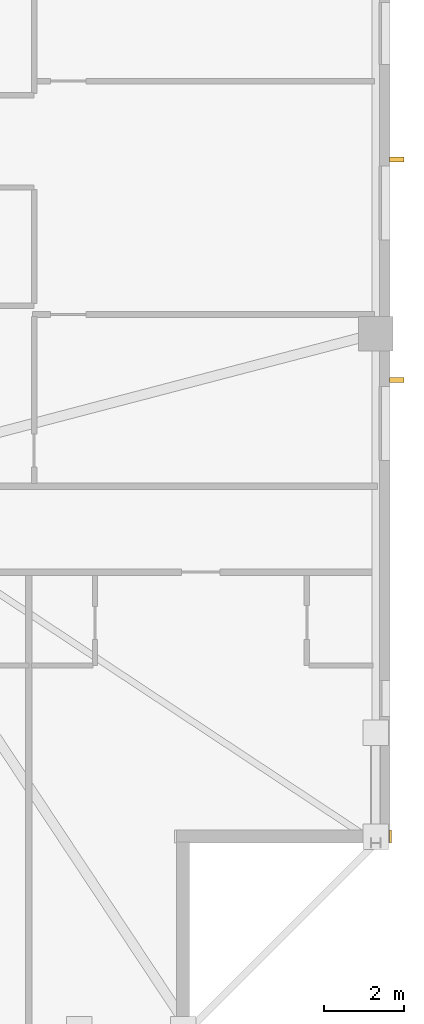
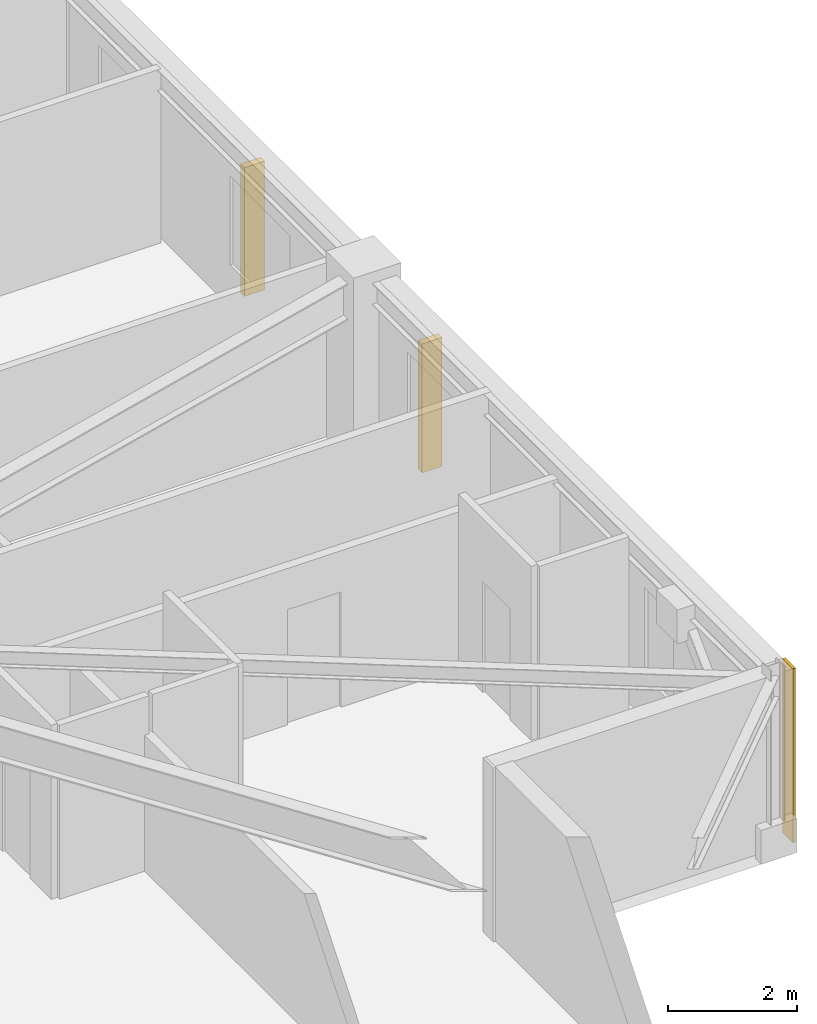
# One storey, part 15 of 17: 2 shading devices, 1 covering.
"""IFC4 building model written with IfcOpenShell, lengths in metres."""

from ifc_helpers import new_model, si_unit, direction, frame, frame_2d, origin, origin_2d, place, context, subcontext, project, spatial, rectangle, extrude, material, layer, layer_set, type_object, element, save


model = new_model("IFC4")

# Units and contexts
model_context = context("Model", 3, precision=1e-05, world=origin(), true_north=direction((0.0, 1.0)))
body_context = subcontext(model_context, "Body", "Model", "MODEL_VIEW")
ifc_project = project(units=[si_unit("LENGTHUNIT", "METRE"), si_unit("AREAUNIT", "SQUARE_METRE"), si_unit("VOLUMEUNIT", "CUBIC_METRE"), si_unit("PLANEANGLEUNIT", "RADIAN"), si_unit("MASSUNIT", "GRAM", prefix="KILO")], contexts=[model_context])

# Site, building, storey
site_placement = place(None, origin())
site = spatial("IfcSite", under=ifc_project, at=site_placement, CompositionType="ELEMENT")
building_placement = place(site_placement, origin())
building = spatial("IfcBuilding", under=site, at=building_placement, Name="Cairnveth Concourse Tower", CompositionType="ELEMENT")
storey_placement = place(building_placement, frame((0.0, 0.0, 244.5)))
storey = spatial("IfcBuildingStorey", under=building, at=storey_placement, Name="L67", CompositionType="ELEMENT", Elevation=244.5)

# Covering
ifc_material_1 = material(Name="Dressed Melbourne Bluestone Cladding", Category="masonry")
ifc_layer = layer(ifc_material_1, 0.050048828125)
ifc_layer_set = layer_set([ifc_layer], Name="Dressed Melbourne Bluestone Cladding")
covering_type = type_object("IfcCoveringType", Name="DRESSED BLUESTONE PLINTH CLADDING 50", PredefinedType="CLADDING", material=ifc_layer_set)
covering_placement = place(storey_placement, frame((74.52001953125, 21.820068359375, 0.0), z_axis=(0.0, 0.0, 1.0), x_axis=(0.0, -1.0, 0.0)))
element("IfcCovering", 1, at=covering_placement, inside=storey, type_object=covering_type, Name="Melbourne Bluestone Corner Quoin L67-1014", PredefinedType="CLADDING", context=body_context, shape_type="SweptSolid", body=[
    extrude(rectangle(XDim=0.320068359375, YDim=0.050048828125, at=frame_2d((0.16015625, 0.0))), origin(), (0.0, 0.0, 1.0), 3.2900390625),
])

# Shading devices
ifc_material_2 = material(Name="Architectural Bronze Anodised Aluminium 6063-T6", Category="aluminium")
shading_device_type = type_object("IfcShadingDeviceType", Name="GOTHIC BRONZE VERTICAL LANCET FIN", PredefinedType="USERDEFINED", material=ifc_material_2)
for number, where, z_axis, x_axis, name in (
    (2, (74.675048828125, 38.54638671875, 0.030029296875), (0.0, 0.0, 1.0), (0.0, 1.0, 0.0), "Gothic Bronze Vertical Fin L67-6-5"),
    (3, (74.675048828125, 33.0458984375, 0.030029296875), (0.0, 0.0, 1.0), (0.0, 1.0, 0.0), "Gothic Bronze Vertical Fin L67-6-7"),
):
    element("IfcShadingDevice", number, at=place(storey_placement, frame(where, z_axis=z_axis, x_axis=x_axis)), inside=storey, type_object=shading_device_type, Name=name, ObjectType="VERTICAL FIN", PredefinedType="USERDEFINED", context=body_context, shape_type="SweptSolid", body=[
        extrude(rectangle(XDim=0.1201171875, YDim=0.360107421875, at=origin_2d()), origin(), (0.0, 0.0, 1.0), 2.43798828125),
    ])

save(model, "model.ifc")
